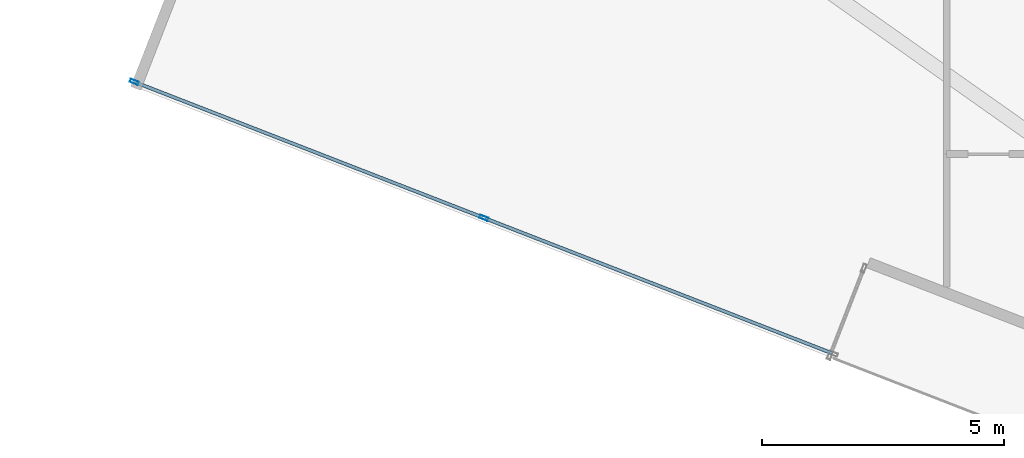
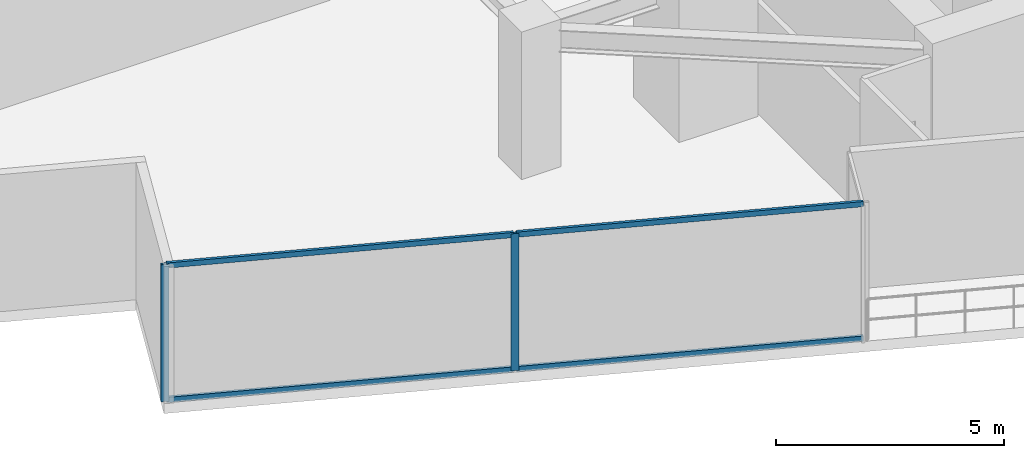
# One storey, part 2 of 26: 6 members, 1 element without a shape of its own.
"""IFC4 building model written with IfcOpenShell, lengths in metres."""

from ifc_helpers import new_model, si_unit, direction, frame, origin, origin_2d, place, context, subcontext, project, spatial, hollow_rectangle, extrude, source, transform, mapped, material, material_profile, profile_set, type_object, type_shapes, element, aggregate, save


model = new_model("IFC4")

# Units and contexts
model_context = context("Model", 3, precision=1e-05, world=origin(), true_north=direction((0.0, 1.0)))
body_context = subcontext(model_context, "Body", "Model", "MODEL_VIEW")
ifc_project = project(units=[si_unit("LENGTHUNIT", "METRE"), si_unit("AREAUNIT", "SQUARE_METRE"), si_unit("VOLUMEUNIT", "CUBIC_METRE"), si_unit("PLANEANGLEUNIT", "RADIAN"), si_unit("MASSUNIT", "GRAM", prefix="KILO")], contexts=[model_context])

# Site, building, storey
site_placement = place(None, origin())
site = spatial("IfcSite", under=ifc_project, at=site_placement, CompositionType="ELEMENT")
building_placement = place(site_placement, origin())
building = spatial("IfcBuilding", under=site, at=building_placement, Name="Krantzveldt Concourse Tower", CompositionType="ELEMENT")
storey_placement = place(building_placement, frame((0.0, 0.0, 133.5)))
storey = spatial("IfcBuildingStorey", under=building, at=storey_placement, Name="L32", CompositionType="ELEMENT", Elevation=133.5)

# Curtain wall, members
ifc_material = material(Name="Anodised aluminium 6063-T6", Category="aluminium")
curtain_wall_type = type_object("IfcCurtainWallType", Name="CW2", PredefinedType="USERDEFINED", material=ifc_material)
curtain_wall_placement = place(storey_placement, origin())
curtain_wall = element("IfcCurtainWall", 1, at=curtain_wall_placement, inside=storey, type_object=curtain_wall_type, Name="CW-L32-F04", ObjectType="UNITISED CURTAIN WALL", PredefinedType="USERDEFINED")
ifc_material_profile_1 = material_profile(ifc_material, hollow_rectangle(XDim=0.070068359375, YDim=0.179931640625, WallThickness=0.0048828125, at=origin_2d()), Name="Anodised aluminium 6063-T6", Category="aluminium")
ifc_profile_set_1 = profile_set([ifc_material_profile_1], Name="Anodised aluminium 6063-T6 - ALU-MULL 180x70x5")
member_type_1 = type_object("IfcMemberType", Name="CW-MUL-180", PredefinedType="MULLION", material=ifc_profile_set_1)
shared_shape_1 = source(origin(), body_context, "Body", "SweptSolid", [
    extrude(hollow_rectangle(XDim=0.070068359375, YDim=0.179931640625, WallThickness=0.0048828125, at=origin_2d()), origin(), (0.0, 0.0, 1.0), 3.669921875),
])
type_shapes(member_type_1, [shared_shape_1])
member_1_placement = place(storey_placement, frame((9.503173828125, 11.993408203125, 0.0), z_axis=(0.0, 0.0, 1.0), x_axis=(0.362437908899, 0.932007919598, 0.0)))
member_1 = element("IfcMember", 2, at=member_1_placement, type_object=member_type_1, Name="CW-Z12 mullion 1", PredefinedType="MULLION", context=body_context, shape_type="MappedRepresentation", body=[
    mapped(shared_shape_1, transform((0.0, 0.0, 0.0), x_axis=(1.0, 0.0, 0.0), y_axis=(0.0, 1.0, 0.0), z_axis=(0.0, 0.0, 1.0), scale=1.0)),
])
member_2_placement = place(storey_placement, frame((16.740234375, 9.17919921875, 0.0), z_axis=(0.0, 0.0, 1.0), x_axis=(0.362437908899, 0.932007919598, 0.0)))
member_2 = element("IfcMember", 3, at=member_2_placement, type_object=member_type_1, Name="CW-Z12 mullion 2", PredefinedType="MULLION", context=body_context, shape_type="MappedRepresentation", body=[
    mapped(shared_shape_1, transform((0.0, 0.0, 0.0), x_axis=(1.0, 0.0, 0.0), y_axis=(0.0, 1.0, 0.0), z_axis=(0.0, 0.0, 1.0), scale=1.0)),
])
ifc_material_profile_2 = material_profile(ifc_material, hollow_rectangle(XDim=0.070068359375, YDim=0.139892578125, WallThickness=0.0048828125, at=origin_2d()), Name="Anodised aluminium 6063-T6", Category="aluminium")
ifc_profile_set_2 = profile_set([ifc_material_profile_2], Name="Anodised aluminium 6063-T6 - ALU-TRAN 140x70x5")
member_type_2 = type_object("IfcMemberType", Name="CW-TRN-150", PredefinedType="USERDEFINED", material=ifc_profile_set_2)
shared_shape_2 = source(origin(), body_context, "Body", "SweptSolid", [
    extrude(hollow_rectangle(XDim=0.070068359375, YDim=0.139892578125, WallThickness=0.0048828125, at=origin_2d()), origin(), (0.0, 0.0, 1.0), 7.69482421875),
])
member_3_placement = place(storey_placement, frame((16.77294921875, 9.16650390625, 0.034912109375), z_axis=(0.932000503501, -0.362456978791, 0.0), x_axis=(0.362456978791, 0.932000503501, 0.0)))
member_3 = element("IfcMember", 4, at=member_3_placement, type_object=member_type_2, Name="CW-Z12 transom 2.1", ObjectType="TRANSOM", PredefinedType="USERDEFINED", context=body_context, shape_type="MappedRepresentation", body=[
    mapped(shared_shape_2, transform((0.0, 0.0, 0.0), x_axis=(1.0, 0.0, 0.0), y_axis=(0.0, 1.0, 0.0), z_axis=(0.0, 0.0, 1.0), scale=1.0)),
])
member_4_placement = place(storey_placement, frame((16.77294921875, 9.16650390625, 3.635009765625), z_axis=(0.932000503501, -0.362456978791, 0.0), x_axis=(0.362456978791, 0.932000503501, 0.0)))
member_4 = element("IfcMember", 5, at=member_4_placement, type_object=member_type_2, Name="CW-Z12 transom 2.2", ObjectType="TRANSOM", PredefinedType="USERDEFINED", context=body_context, shape_type="MappedRepresentation", body=[
    mapped(shared_shape_2, transform((0.0, 0.0, 0.0), x_axis=(1.0, 0.0, 0.0), y_axis=(0.0, 1.0, 0.0), z_axis=(0.0, 0.0, 1.0), scale=1.0)),
])
shared_shape_3 = source(origin(), body_context, "Body", "SweptSolid", [
    extrude(hollow_rectangle(XDim=0.070068359375, YDim=0.139892578125, WallThickness=0.0048828125, at=origin_2d()), origin(), (0.0, 0.0, 1.0), 7.695068359375),
])
type_shapes(member_type_2, [shared_shape_2, shared_shape_3])
member_5_placement = place(storey_placement, frame((9.535888671875, 11.980712890625, 0.034912109375), z_axis=(0.9320153886, -0.362418701797, 0.0), x_axis=(0.362418701797, 0.9320153886, 0.0)))
member_5 = element("IfcMember", 6, at=member_5_placement, type_object=member_type_2, Name="CW-Z12 transom 1.1", ObjectType="TRANSOM", PredefinedType="USERDEFINED", context=body_context, shape_type="MappedRepresentation", body=[
    mapped(shared_shape_3, transform((0.0, 0.0, 0.0), x_axis=(1.0, 0.0, 0.0), y_axis=(0.0, 1.0, 0.0), z_axis=(0.0, 0.0, 1.0), scale=1.0)),
])
member_6_placement = place(storey_placement, frame((9.535888671875, 11.980712890625, 3.635009765625), z_axis=(0.9320153886, -0.362418701797, 0.0), x_axis=(0.362418701797, 0.9320153886, 0.0)))
member_6 = element("IfcMember", 7, at=member_6_placement, type_object=member_type_2, Name="CW-Z12 transom 1.2", ObjectType="TRANSOM", PredefinedType="USERDEFINED", context=body_context, shape_type="MappedRepresentation", body=[
    mapped(shared_shape_3, transform((0.0, 0.0, 0.0), x_axis=(1.0, 0.0, 0.0), y_axis=(0.0, 1.0, 0.0), z_axis=(0.0, 0.0, 1.0), scale=1.0)),
])
aggregate(curtain_wall, [member_1, member_2, member_5, member_6, member_3, member_4])

save(model, "model.ifc")
